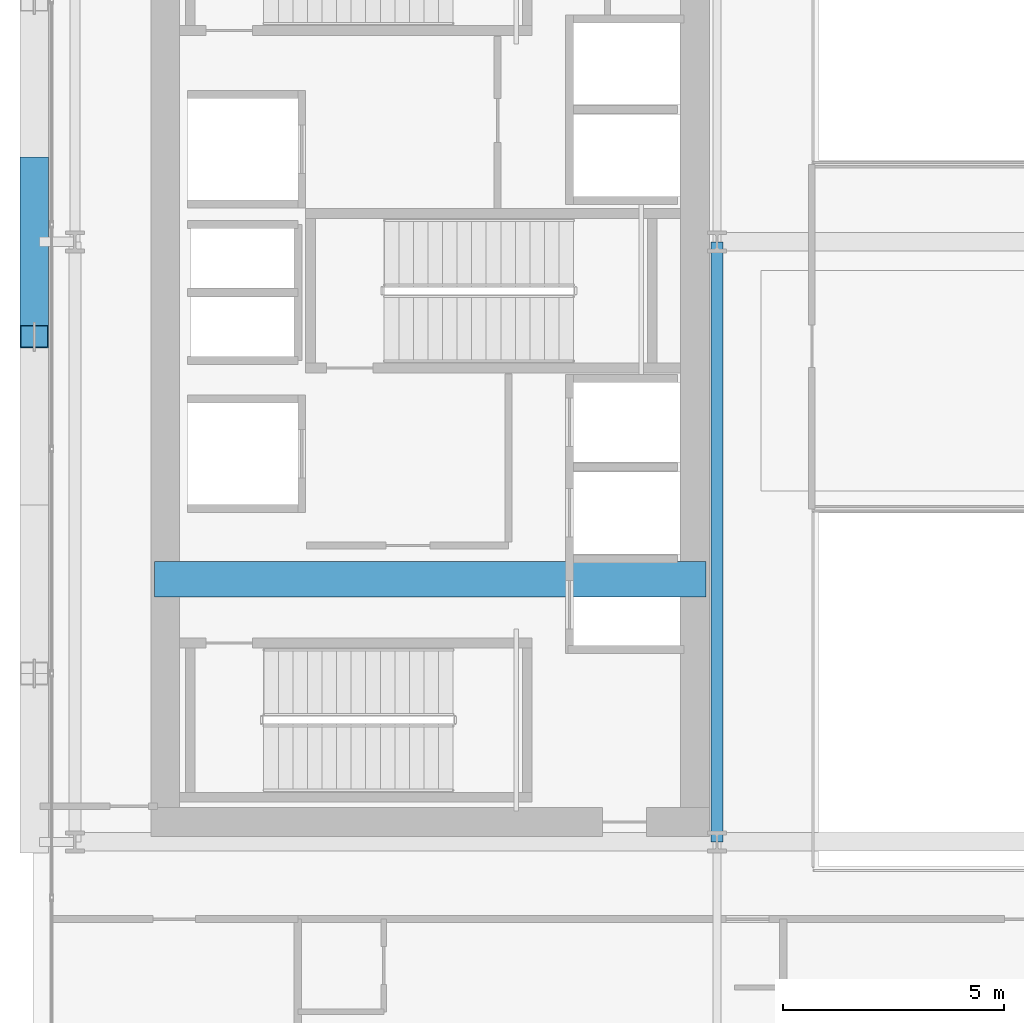
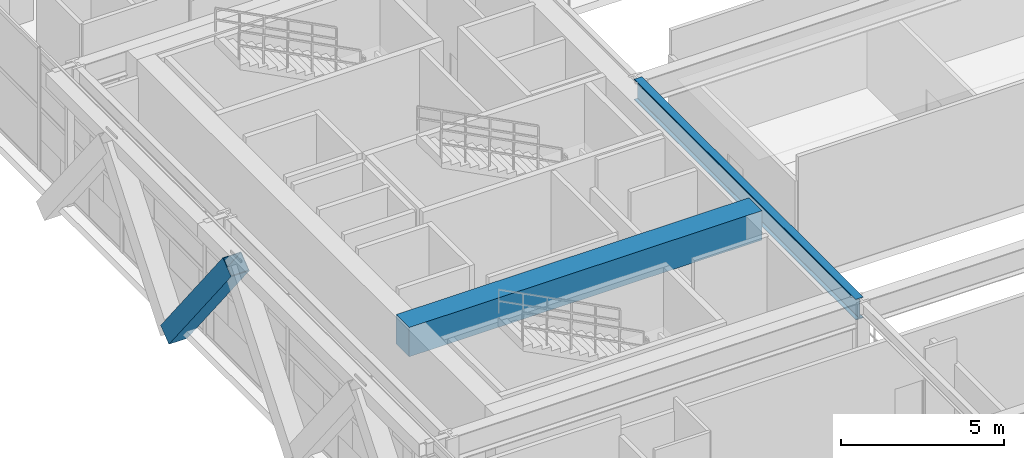
# One storey, part 7 of 35: 2 beams, 1 member.
"""IFC4 building model written with IfcOpenShell, lengths in metres."""

import ifcopenshell
import ifcopenshell.guid

model = None  # the IFC model being written
_history = None  # IfcOwnerHistory: only IFC2X3 demands one
_inside = {}  # id of a spatial element -> (the spatial element, [elements in it])
_under = {}  # id of a project, library or spatial element -> (it, [spatial elements below it])
_declared = {}  # id of a project -> (the project, [libraries it declares])
_typed = {}  # id of a type object -> (the type object, [elements of that type])
_made_of = {}  # id of a material, layer set ... -> (it, [elements and type objects made of it])


def new_model(schema):
    """Start an empty IFC model of exactly this schema.

    Asked for "IFC4X3", IfcOpenShell would pick the latest addendum, in which some entities
    have other attributes; the version numbers below select the first issue.
    IFC2X3 requires an IfcOwnerHistory on every rooted entity: one is made here for all.
    """
    global model, _history
    if schema == "IFC4X3":
        model = ifcopenshell.file(schema_version=(4, 3, 0, 0))
    else:
        model = ifcopenshell.file(schema=schema)
    _inside.clear()
    _under.clear()
    _declared.clear()
    _typed.clear()
    _made_of.clear()
    _history = None
    if model.schema == "IFC2X3":
        org = make("IfcOrganization", Name="unknown")
        user = make(
            "IfcPersonAndOrganization",
            ThePerson=make("IfcPerson", FamilyName="unknown"),
            TheOrganization=org,
        )
        app = make(
            "IfcApplication",
            ApplicationDeveloper=org,
            Version="unknown",
            ApplicationFullName="unknown",
            ApplicationIdentifier="unknown",
        )
        _history = make(
            "IfcOwnerHistory",
            OwningUser=user,
            OwningApplication=app,
            ChangeAction="ADDED",
            CreationDate=0,
        )
    return model


def make(cls, **values):
    """One entity of the class cls with the attributes given. An attribute that is None is left unset."""
    return model.create_entity(
        cls, **{name: value for name, value in values.items() if value is not None}
    )


def rooted(cls, **values):
    """An entity with a GlobalId (a new one), such as an element, a storey or a relation."""
    return make(cls, GlobalId=ifcopenshell.guid.new(), OwnerHistory=_history, **values)


def si_unit(unit_type, name, prefix=None):
    """IfcSIUnit, for example si_unit("LENGTHUNIT", "METRE", prefix="MILLI")."""
    return make("IfcSIUnit", UnitType=unit_type, Prefix=prefix, Name=name)


def assignment(units):
    """IfcUnitAssignment: the units of a project."""
    return None if units is None else make("IfcUnitAssignment", Units=units)


def point(xyz):
    """IfcCartesianPoint."""
    return None if xyz is None else make("IfcCartesianPoint", Coordinates=xyz)


def direction(xyz):
    """IfcDirection."""
    return None if xyz is None else make("IfcDirection", DirectionRatios=xyz)


def frame(location, z_axis=None, x_axis=None):
    """IfcAxis2Placement3D, a coordinate frame: its origin and axes. An axis left out is left unset."""
    return make(
        "IfcAxis2Placement3D",
        Location=point(location),
        Axis=direction(z_axis),
        RefDirection=direction(x_axis),
    )


def frame_2d(location, x_axis=None):
    """IfcAxis2Placement2D, a coordinate frame in the plane: its origin and x axis."""
    return make(
        "IfcAxis2Placement2D", Location=point(location), RefDirection=direction(x_axis)
    )


def origin():
    """The frame at (0, 0, 0) with its axes left unset."""
    return frame((0.0, 0.0, 0.0))


def origin_2d():
    """The frame at (0, 0) in the plane with its x axis left unset."""
    return frame_2d((0.0, 0.0))


def place(relative_to, where):
    """IfcLocalPlacement: puts the frame where relative to a parent placement (None: the world)."""
    return make(
        "IfcLocalPlacement", PlacementRelTo=relative_to, RelativePlacement=where
    )


def context(
    kind, dimensions, precision=None, world=None, true_north=None, identifier=None
):
    """IfcGeometricRepresentationContext, for example the 3D "Model" context."""
    return make(
        "IfcGeometricRepresentationContext",
        ContextIdentifier=identifier,
        ContextType=kind,
        CoordinateSpaceDimension=dimensions,
        Precision=precision,
        WorldCoordinateSystem=world,
        TrueNorth=true_north,
    )


def subcontext(parent, identifier, kind, view, scale=None):
    """IfcGeometricRepresentationSubContext, for example "Body" below "Model"."""
    return make(
        "IfcGeometricRepresentationSubContext",
        ContextIdentifier=identifier,
        ContextType=kind,
        ParentContext=parent,
        TargetScale=scale,
        TargetView=view,
    )


def project(units=None, contexts=None):
    """IfcProject with its units and contexts."""
    return rooted(
        "IfcProject",
        Name="project",
        RepresentationContexts=contexts,
        UnitsInContext=assignment(units),
    )


def spatial(cls, under=None, at=None, **own):
    """A site, building, storey or space (cls), placed at a placement, below another one or the project."""
    s = rooted(cls, ObjectPlacement=at, **own)
    if under is not None:
        _under.setdefault(under.id(), (under, []))[1].append(s)
    return s


def profile(cls, at=None, kind="AREA", **sizes):
    """A parametric profile (cls). Its sizes go by their IFC names, for example OverallWidth=200.0."""
    return make(cls, ProfileType=kind, Position=at, **sizes)


def rectangle(**sizes):
    """IfcRectangleProfileDef."""
    return profile("IfcRectangleProfileDef", **sizes)


def hollow_rectangle(**sizes):
    """IfcRectangleHollowProfileDef."""
    return profile("IfcRectangleHollowProfileDef", **sizes)


def i_section(**sizes):
    """IfcIShapeProfileDef."""
    return profile("IfcIShapeProfileDef", **sizes)


def extrude(swept, where, along, depth):
    """IfcExtrudedAreaSolid: the profile swept, set in the frame where, extruded along a direction by depth."""
    return make(
        "IfcExtrudedAreaSolid",
        SweptArea=swept,
        Position=where,
        ExtrudedDirection=direction(along),
        Depth=depth,
    )


def shape(context_of_items, identifier, shape_type, items):
    """IfcShapeRepresentation: the items that make up one representation, for example the "Body"."""
    return make(
        "IfcShapeRepresentation",
        ContextOfItems=context_of_items,
        RepresentationIdentifier=identifier,
        RepresentationType=shape_type,
        Items=items,
    )


def source(mapping_origin, context_of_items, identifier, shape_type, items):
    """IfcRepresentationMap: a shape defined once, which mapped items show again and again."""
    return make(
        "IfcRepresentationMap",
        MappingOrigin=mapping_origin,
        MappedRepresentation=shape(context_of_items, identifier, shape_type, items),
    )


def transform(
    local_origin,
    x_axis=None,
    y_axis=None,
    z_axis=None,
    scale=None,
    scale2=None,
    scale3=None,
    uniform=True,
):
    """IfcCartesianTransformationOperator3D, or its non-uniform kind. x_axis, y_axis, z_axis: its Axis1, 2, 3."""
    if uniform:
        return make(
            "IfcCartesianTransformationOperator3D",
            Axis1=direction(x_axis),
            Axis2=direction(y_axis),
            LocalOrigin=point(local_origin),
            Scale=scale,
            Axis3=direction(z_axis),
        )
    return make(
        "IfcCartesianTransformationOperator3DnonUniform",
        Axis1=direction(x_axis),
        Axis2=direction(y_axis),
        LocalOrigin=point(local_origin),
        Scale=scale,
        Axis3=direction(z_axis),
        Scale2=scale2,
        Scale3=scale3,
    )


def mapped(mapping_source, mapping_target):
    """IfcMappedItem: shows the shape of a source again, moved by a transform."""
    return make(
        "IfcMappedItem", MappingSource=mapping_source, MappingTarget=mapping_target
    )


def material(Name=None, Category=None):
    """IfcMaterial."""
    return make("IfcMaterial", Name=Name, Category=Category)


def material_profile(
    of_material, cross_section, Name=None, Category=None, Priority=None
):
    """IfcMaterialProfile: a cross section and its material."""
    return make(
        "IfcMaterialProfile",
        Name=Name,
        Material=of_material,
        Profile=cross_section,
        Priority=Priority,
        Category=Category,
    )


def profile_set(profiles, Name=None, composite=None):
    """IfcMaterialProfileSet."""
    return make(
        "IfcMaterialProfileSet",
        Name=Name,
        MaterialProfiles=profiles,
        CompositeProfile=composite,
    )


def made_of(thing, what):
    """Note that an element or type object is made of a material, layer set ...; save() writes the relation."""
    if what is not None:
        _made_of.setdefault(what.id(), (what, []))[1].append(thing)
    return thing


def type_object(cls, material=None, **own):
    """A type object (cls), such as IfcWallType, which elements share."""
    return made_of(rooted(cls, **own), material)


def element(
    cls,
    number,
    at=None,
    inside=None,
    cuts=None,
    type_object=None,
    material=None,
    context=None,
    identifier="Body",
    shape_type=None,
    held_by="IfcProductDefinitionShape",
    body=None,
    shapes=None,
    **own,
):
    """One element of the class cls, such as IfcWall. Its Tag is "e" and its number.

    at: its placement. inside: the storey or other place that contains it. cuts: it is an
    opening in that element (IfcRelVoidsElement). A single representation is given by context,
    identifier, shape_type and body (its items); several are given by shapes. held_by: the class
    of the entity that holds the representations. save() writes the other relations.
    """
    e = rooted(cls, Tag="e%d" % number, ObjectPlacement=at, **own)
    if body is not None:
        shapes = [shape(context, identifier, shape_type, body)]
    if shapes is not None:
        e.Representation = make(held_by, Representations=shapes)
    if inside is not None:
        _inside.setdefault(inside.id(), (inside, []))[1].append(e)
    if cuts is not None:
        rooted(
            "IfcRelVoidsElement", RelatingBuildingElement=cuts, RelatedOpeningElement=e
        )
    if type_object is not None:
        _typed.setdefault(type_object.id(), (type_object, []))[1].append(e)
    return made_of(e, material)


def aggregate(whole, parts):
    """IfcRelAggregates: a whole, such as a stair, and the parts it consists of."""
    return rooted("IfcRelAggregates", RelatingObject=whole, RelatedObjects=parts)


def save(model, path):
    """Write the relations noted so far, then the file.

    IfcRelAggregates (storeys below a building ...), IfcRelContainedInSpatialStructure (elements
    in a storey), IfcRelDefinesByType, IfcRelAssociatesMaterial and IfcRelDeclares: one each for
    every whole, place, type object, material and project.
    """
    for whole, parts in _under.values():
        aggregate(whole, parts)
    for where, things in _inside.values():
        rooted(
            "IfcRelContainedInSpatialStructure",
            RelatedElements=things,
            RelatingStructure=where,
        )
    for kind, things in _typed.values():
        rooted("IfcRelDefinesByType", RelatedObjects=things, RelatingType=kind)
    for what, things in _made_of.values():
        rooted("IfcRelAssociatesMaterial", RelatedObjects=things, RelatingMaterial=what)
    for by, libraries in _declared.values():
        rooted("IfcRelDeclares", RelatingContext=by, RelatedDefinitions=libraries)
    model.write(path)


model = new_model("IFC4")

# Units and contexts
model_context = context("Model", 3, precision=1e-05, world=origin(), true_north=direction((0.0, 1.0)))
body_context = subcontext(model_context, "Body", "Model", "MODEL_VIEW")
ifc_project = project(units=[si_unit("LENGTHUNIT", "METRE"), si_unit("AREAUNIT", "SQUARE_METRE"), si_unit("VOLUMEUNIT", "CUBIC_METRE"), si_unit("PLANEANGLEUNIT", "RADIAN"), si_unit("MASSUNIT", "GRAM", prefix="KILO")], contexts=[model_context])

# Site, building, storey
site_placement = place(None, origin())
site = spatial("IfcSite", under=ifc_project, at=site_placement, CompositionType="ELEMENT")
building_placement = place(site_placement, origin())
building = spatial("IfcBuilding", under=site, at=building_placement, Name="Ocotamira Hotel", CompositionType="ELEMENT")
storey_placement = place(building_placement, frame((0.0, 0.0, 158.39990234375)))
storey = spatial("IfcBuildingStorey", under=building, at=storey_placement, Name="L39", CompositionType="ELEMENT", Elevation=158.39990234375)

# Beams
ifc_material_1 = material(Name="Concrete C60/75", Category="concrete")
ifc_material_profile_1 = material_profile(ifc_material_1, rectangle(XDim=0.800048828125, YDim=1.10009765625, at=origin_2d()), Name="RC800X1100")
ifc_profile_set_1 = profile_set([ifc_material_profile_1], Name="Concrete C60/75")
beam_type_1 = type_object("IfcBeamType", Name="BM-LINK-RC800", PredefinedType="LINTEL", material=ifc_profile_set_1)
shared_shape_1 = source(origin(), body_context, "Body", "SweptSolid", [
    extrude(rectangle(XDim=0.800048828125, YDim=1.10009765625, at=origin_2d()), origin(), (0.0, 0.0, 1.0), 12.5),
])
beam_1_placement = place(storey_placement, frame((10.75, 20.5, 4.02001953125), z_axis=(1.0, 0.0, 0.0), x_axis=(0.0, 1.0, 0.0)))
element("IfcBeam", 1, at=beam_1_placement, inside=storey, type_object=beam_type_1, Name="L39 West Core Coupling Beam", PredefinedType="LINTEL", context=body_context, shape_type="MappedRepresentation", body=[
    mapped(shared_shape_1, transform((0.0, 0.0, 0.0), scale=1.0)),
])
ifc_material_2 = material(Name="Steel ASTM A992 Grade 50", Category="steel")
ifc_material_profile_2 = material_profile(ifc_material_2, i_section(OverallWidth=0.26611328125, OverallDepth=0.779052734375, WebThickness=0.0166015625, FlangeThickness=0.030029296875, FilletRadius=0.01806640625, at=origin_2d()), Name="W30X148")
ifc_profile_set_2 = profile_set([ifc_material_profile_2], Name="Steel ASTM A992 Grade 50")
beam_type_2 = type_object("IfcBeamType", Name="BM-GIRD-W30X148", PredefinedType="BEAM", material=ifc_profile_set_2)
shared_shape_2 = source(origin(), body_context, "Body", "SweptSolid", [
    extrude(i_section(OverallWidth=0.26611328125, OverallDepth=0.779052734375, WebThickness=0.0166015625, FlangeThickness=0.030029296875, FilletRadius=0.01806640625, at=origin_2d()), origin(), (0.0, 0.0, 1.0), 13.599853515625),
])
beam_2_placement = place(storey_placement, frame((23.5, 14.550048828125, 4.1806640625), z_axis=(0.0, 1.0, 0.0), x_axis=(-1.0, 0.0, 0.0)))
element("IfcBeam", 2, at=beam_2_placement, inside=storey, type_object=beam_type_2, Name="L39 Beam X23.5 Y14.55-28.15", PredefinedType="BEAM", context=body_context, shape_type="MappedRepresentation", body=[
    mapped(shared_shape_2, transform((0.0, 0.0, 0.0), scale=1.0)),
])

# Member
ifc_material_3 = material(Name="Pale-metal coated steel ASTM A913 Grade 65", Category="steel")
ifc_material_profile_3 = material_profile(ifc_material_3, hollow_rectangle(XDim=0.64990234375, YDim=0.64990234375, WallThickness=0.02197265625, at=origin_2d()), Name="BOX650X650X22")
ifc_profile_set_3 = profile_set([ifc_material_profile_3], Name="Pale-metal coated steel ASTM A913 Grade 65")
member_type = type_object("IfcMemberType", Name="MEM-EXO-BOX650", PredefinedType="BRACE", material=ifc_profile_set_3)
shared_shape_3 = source(origin(), body_context, "Body", "SweptSolid", [
    extrude(hollow_rectangle(XDim=0.64990234375, YDim=0.64990234375, WallThickness=0.02197265625, at=origin_2d()), origin(), (0.0, 0.0, 1.0), 6.171630859375),
])
member_placement = place(storey_placement, frame((8.030029296875, 29.816650390625, -0.52978515625), z_axis=(0.0, -0.618427608591, 0.785841773471), x_axis=(1.0, 0.0, 0.0)))
element("IfcMember", 3, at=member_placement, inside=storey, type_object=member_type, Name="L39 Exoskeleton Diagrid W1.2", PredefinedType="BRACE", context=body_context, shape_type="MappedRepresentation", body=[
    mapped(shared_shape_3, transform((0.0, 0.0, 0.0), scale=1.0)),
])

save(model, "model.ifc")
